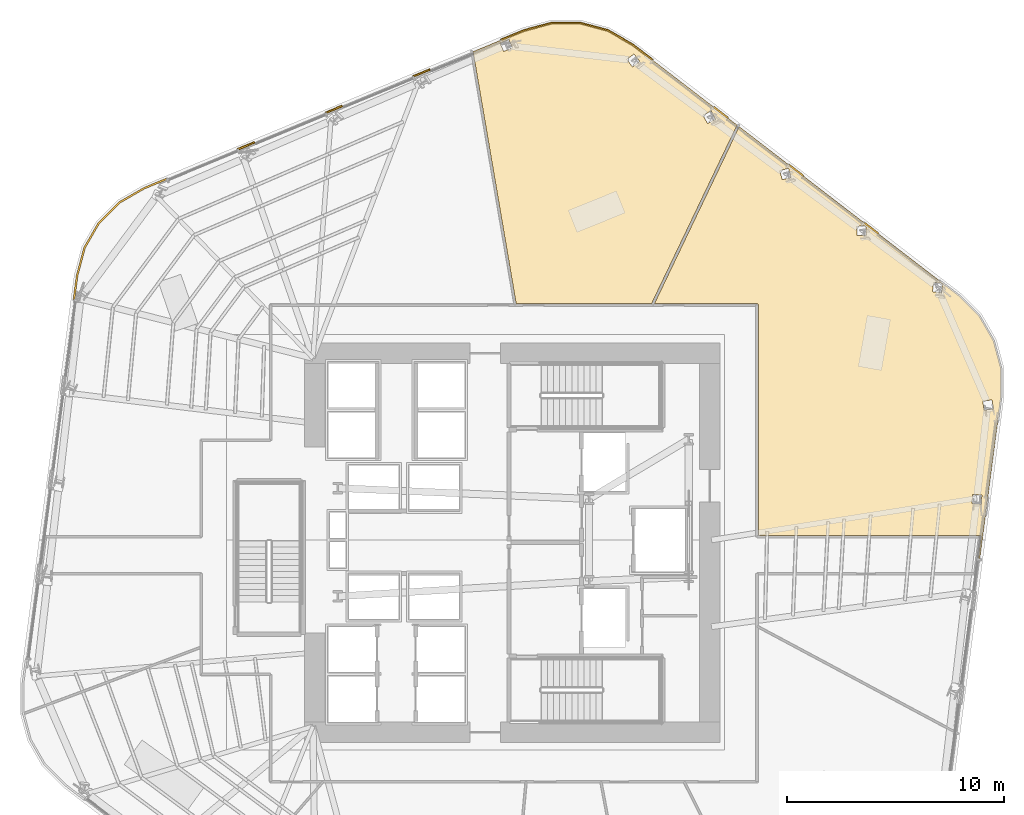
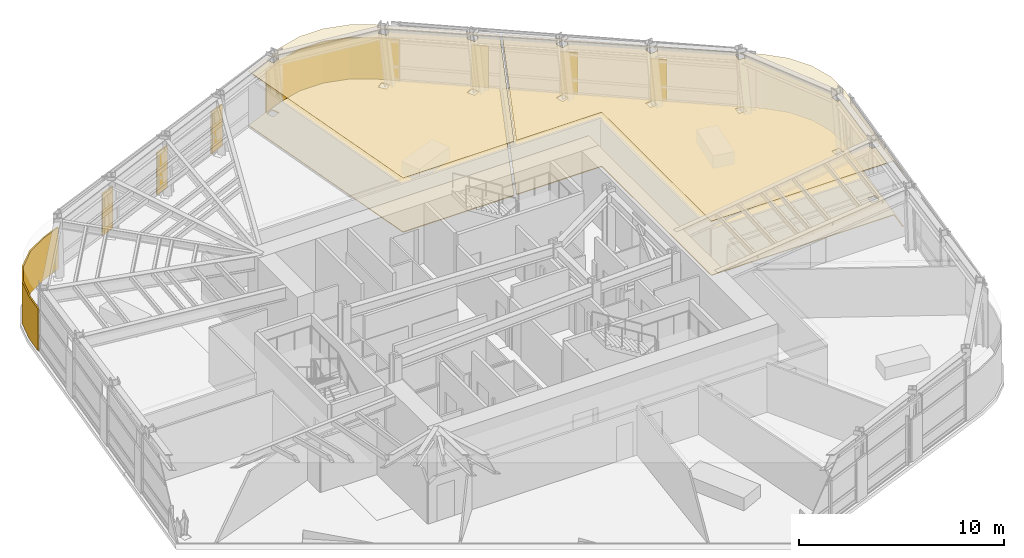
# One storey, part 17 of 18: 12 coverings.
"""IFC4 building model written with IfcOpenShell, lengths in metres."""

from ifc_helpers import new_model, si_unit, direction, frame, origin, place, context, subcontext, project, spatial, polyline, outline, extrude, material, layer, layer_set, type_object, element, save


model = new_model("IFC4")

# Units and contexts
model_context = context("Model", 3, precision=1e-05, world=origin(), true_north=direction((0.0, 1.0)))
body_context = subcontext(model_context, "Body", "Model", "MODEL_VIEW")
ifc_project = project(units=[si_unit("LENGTHUNIT", "METRE"), si_unit("AREAUNIT", "SQUARE_METRE"), si_unit("VOLUMEUNIT", "CUBIC_METRE"), si_unit("PLANEANGLEUNIT", "RADIAN"), si_unit("MASSUNIT", "GRAM", prefix="KILO")], contexts=[model_context])

# Site, building, storey
site_placement = place(None, origin())
site = spatial("IfcSite", under=ifc_project, at=site_placement, CompositionType="ELEMENT")
building_placement = place(site_placement, origin())
building = spatial("IfcBuilding", under=site, at=building_placement, Name="Valkerne Bourse Tower", CompositionType="ELEMENT")
storey_placement = place(building_placement, frame((0.0, 0.0, 120.0)))
storey = spatial("IfcBuildingStorey", under=building, at=storey_placement, Name="L30", CompositionType="ELEMENT", Elevation=120.0)

# Coverings
ifc_material_1 = material(Name="Mineral Fiber Acoustic Ceiling Tile", Category="acoustic")
ifc_layer_1 = layer(ifc_material_1, 0.02490234375)
ifc_layer_set_1 = layer_set([ifc_layer_1], Name="Mineral Fiber Acoustic Ceiling Tile")
covering_type_1 = type_object("IfcCoveringType", Name="COV-CEIL-ACT", PredefinedType="CEILING", material=ifc_layer_set_1)
covering_1_placement = place(storey_placement, frame((0.0, 0.0, 3.22998046875)))
element("IfcCovering", 1, at=covering_1_placement, inside=storey, type_object=covering_type_1, Name="L30 Suspended Ceiling 08", PredefinedType="CEILING", context=body_context, shape_type="SweptSolid", body=[
    extrude(outline(polyline([(49.942138671875, 50.86767578125), (51.216796875, 50.526123046875), (52.367919921875, 49.861572265625), (57.181396484375, 46.159912109375), (53.23583984375, 37.9189453125), (46.9814453125, 37.9189453125), (44.993408203125, 49.54931640625), (47.339111328125, 50.523681640625), (48.622802734375, 50.86767578125), (49.942138671875, 50.86767578125)]), holes=[polyline([(52.418701171875, 49.44140625), (52.41552734375, 49.442138671875), (52.08837890625, 49.18505859375), (52.35302734375, 48.844970703125), (52.356201171875, 48.843994140625), (52.68359375, 49.101318359375), (52.418701171875, 49.44140625)]), polyline([(46.802734375, 49.72705078125), (46.641357421875, 50.111083984375), (46.637939453125, 50.111083984375), (46.24169921875, 49.943115234375), (46.403076171875, 49.55908203125), (46.40625, 49.55908203125), (46.802734375, 49.72705078125)]), polyline([(56.18310546875, 46.4248046875), (55.98681640625, 46.80859375), (55.984130859375, 46.809814453125), (55.6142578125, 46.618896484375), (55.810302734375, 46.235107421875), (55.813232421875, 46.23388671875), (56.18310546875, 46.4248046875)])]), origin(), (0.0, 0.0, 1.0), 0.02490234375),
])
covering_2_placement = place(storey_placement, frame((0.0, 0.0, 3.22998046875)))
element("IfcCovering", 2, at=covering_2_placement, inside=storey, type_object=covering_type_1, Name="L30 Suspended Ceiling 10", PredefinedType="CEILING", context=body_context, shape_type="SweptSolid", body=[
    extrude(outline(polyline([(69.01953125, 36.20361328125), (69.361083984375, 34.928955078125), (69.361083984375, 33.599853515625), (68.388671875, 26.151611328125), (68.322021484375, 26.158447265625), (68.45068359375, 27.145751953125), (68.43408203125, 27.1953125), (68.39208984375, 27.21826171875), (58.1689453125, 27.218994140625), (58.1689453125, 37.850341796875), (58.16259765625, 37.879150390625), (58.135986328125, 37.908935546875), (58.1005859375, 37.9189453125), (53.36669921875, 37.9189453125), (57.277099609375, 46.08642578125), (67.419921875, 38.286376953125), (68.35986328125, 37.346435546875), (69.01953125, 36.20361328125)]), holes=[polyline([(68.48193359375, 29.07666015625), (68.481689453125, 29.079833984375), (68.050048828125, 29.1005859375), (68.029541015625, 28.685791015625), (68.02978515625, 28.682861328125), (68.46142578125, 28.661865234375), (68.48193359375, 29.07666015625)]), polyline([(68.955078125, 33.46826171875), (68.9541015625, 33.471435546875), (68.526123046875, 33.410888671875), (68.583984375, 32.999755859375), (68.584716796875, 32.99658203125), (69.0126953125, 33.05712890625), (68.955078125, 33.46826171875)]), polyline([(66.67138671875, 38.84521484375), (66.669677734375, 38.847900390625), (66.256591796875, 38.898681640625), (66.2021484375, 38.47119140625), (66.203857421875, 38.468505859375), (66.616943359375, 38.41748046875), (66.67138671875, 38.84521484375)]), polyline([(63.146484375, 41.076904296875), (63.119384765625, 41.507080078125), (63.1171875, 41.509521484375), (62.701904296875, 41.481689453125), (62.72900390625, 41.051513671875), (62.73095703125, 41.04931640625), (63.146484375, 41.076904296875)]), polyline([(59.55615234375, 44.163330078125), (59.5537109375, 44.165283203125), (59.152587890625, 44.0537109375), (59.2666015625, 43.6376953125), (59.26904296875, 43.635986328125), (59.670166015625, 43.74755859375), (59.55615234375, 44.163330078125)])]), origin(), (0.0, 0.0, 1.0), 0.02490234375),
])
ifc_material_2 = material(Name="Bronze Anodised Aluminium AA 6063-T6", Category="aluminium")
ifc_layer_2 = layer(ifc_material_2, 0.06005859375)
ifc_layer_set_2 = layer_set([ifc_layer_2], Name="Bronze Anodised Aluminium AA 6063-T6")
covering_type_2 = type_object("IfcCoveringType", Name="COV-CRN-ALUM", PredefinedType="CLADDING", material=ifc_layer_set_2)
covering_3_placement = place(storey_placement, origin())
element("IfcCovering", 3, at=covering_3_placement, inside=storey, type_object=covering_type_2, Name="L30 Wind-Shaped Corner Aluminium Cladding 13", PredefinedType="CLADDING", context=body_context, shape_type="SweptSolid", body=[
    extrude(outline(polyline([(26.672607421875, 39.222900390625), (27.018798828125, 40.51513671875), (27.684326171875, 41.66796875), (28.625732421875, 42.609130859375), (29.7841796875, 43.278076171875), (30.841796875, 43.71728515625), (30.872314453125, 43.6435546875), (29.81982421875, 43.206298828125), (28.6748046875, 42.545166015625), (27.748291015625, 41.618896484375), (27.09326171875, 40.484130859375), (26.751220703125, 39.207275390625), (26.601318359375, 38.077392578125), (26.52197265625, 38.087646484375), (26.672607421875, 39.222900390625)])), origin(), (0.0, 0.0, 1.0), 2.5),
])
covering_4_placement = place(storey_placement, origin())
element("IfcCovering", 4, at=covering_4_placement, inside=storey, type_object=covering_type_2, Name="L30 Wind-Shaped Corner Aluminium Cladding 14", PredefinedType="CLADDING", context=body_context, shape_type="SweptSolid", body=[
    extrude(outline(polyline([(34.889404296875, 45.39892578125), (34.919921875, 45.3251953125), (34.144287109375, 45.002685546875), (34.11376953125, 45.07666015625), (34.889404296875, 45.39892578125)])), origin(), (0.0, 0.0, 1.0), 2.5),
])
covering_5_placement = place(storey_placement, origin())
element("IfcCovering", 5, at=covering_5_placement, inside=storey, type_object=covering_type_2, Name="L30 Wind-Shaped Corner Aluminium Cladding 15", PredefinedType="CLADDING", context=body_context, shape_type="SweptSolid", body=[
    extrude(outline(polyline([(38.93701171875, 47.08056640625), (38.967529296875, 47.006591796875), (38.19189453125, 46.684326171875), (38.161376953125, 46.75830078125), (38.93701171875, 47.08056640625)])), origin(), (0.0, 0.0, 1.0), 2.5),
])
covering_6_placement = place(storey_placement, origin())
element("IfcCovering", 6, at=covering_6_placement, inside=storey, type_object=covering_type_2, Name="L30 Wind-Shaped Corner Aluminium Cladding 16", PredefinedType="CLADDING", context=body_context, shape_type="SweptSolid", body=[
    extrude(outline(polyline([(42.984375, 48.76220703125), (43.01513671875, 48.688232421875), (42.239501953125, 48.365966796875), (42.208740234375, 48.43994140625), (42.984375, 48.76220703125)])), origin(), (0.0, 0.0, 1.0), 2.5),
])
covering_7_placement = place(storey_placement, origin())
element("IfcCovering", 7, at=covering_7_placement, inside=storey, type_object=covering_type_2, Name="L30 Wind-Shaped Corner Aluminium Cladding 17", PredefinedType="CLADDING", context=body_context, shape_type="SweptSolid", body=[
    extrude(outline(polyline([(47.32470703125, 50.5654296875), (48.616943359375, 50.91162109375), (49.947998046875, 50.91162109375), (51.23388671875, 50.567138671875), (52.392333984375, 49.898193359375), (53.309326171875, 49.193115234375), (53.2607421875, 49.12939453125), (52.34765625, 49.831787109375), (51.202880859375, 50.49267578125), (49.9375, 50.831787109375), (48.62744140625, 50.831787109375), (47.3505859375, 50.489501953125), (46.287109375, 50.047607421875), (46.25634765625, 50.12158203125), (47.32470703125, 50.5654296875)])), origin(), (0.0, 0.0, 1.0), 2.5),
])
covering_8_placement = place(storey_placement, origin())
element("IfcCovering", 8, at=covering_8_placement, inside=storey, type_object=covering_type_2, Name="L30 Wind-Shaped Corner Aluminium Cladding 18", PredefinedType="CLADDING", context=body_context, shape_type="SweptSolid", body=[
    extrude(outline(polyline([(56.78369140625, 46.52099609375), (56.735107421875, 46.457763671875), (56.0693359375, 46.9697265625), (56.117919921875, 47.033203125), (56.78369140625, 46.52099609375)])), origin(), (0.0, 0.0, 1.0), 2.5),
])
covering_9_placement = place(storey_placement, origin())
element("IfcCovering", 9, at=covering_9_placement, inside=storey, type_object=covering_type_2, Name="L30 Wind-Shaped Corner Aluminium Cladding 19", PredefinedType="CLADDING", context=body_context, shape_type="SweptSolid", body=[
    extrude(outline(polyline([(60.25830078125, 43.84912109375), (60.209716796875, 43.785888671875), (59.543701171875, 44.2978515625), (59.59228515625, 44.361328125), (60.25830078125, 43.84912109375)])), origin(), (0.0, 0.0, 1.0), 2.5),
])
covering_10_placement = place(storey_placement, origin())
element("IfcCovering", 10, at=covering_10_placement, inside=storey, type_object=covering_type_2, Name="L30 Wind-Shaped Corner Aluminium Cladding 20", PredefinedType="CLADDING", context=body_context, shape_type="SweptSolid", body=[
    extrude(outline(polyline([(63.732666015625, 41.17724609375), (63.68408203125, 41.114013671875), (63.018310546875, 41.6259765625), (63.06689453125, 41.689453125), (63.732666015625, 41.17724609375)])), origin(), (0.0, 0.0, 1.0), 2.5),
])
ifc_material_3 = material(Name="Galvanised Painted Steel", Category="steel")
ifc_layer_3 = layer(ifc_material_3, 0.044921875)
ifc_layer_set_3 = layer_set([ifc_layer_3], Name="Galvanised Painted Steel")
covering_type_3 = type_object("IfcCoveringType", Name="COV-FLR-RAF", PredefinedType="FLOORING", material=ifc_layer_set_3)
covering_11_placement = place(storey_placement, origin())
element("IfcCovering", 11, at=covering_11_placement, inside=storey, type_object=covering_type_3, Name="L30 Floor Finish 08", PredefinedType="FLOORING", context=body_context, shape_type="SweptSolid", body=[
    extrude(outline(polyline([(49.942138671875, 50.86767578125), (51.216796875, 50.526123046875), (52.367919921875, 49.861572265625), (57.181396484375, 46.159912109375), (53.23583984375, 37.9189453125), (46.9814453125, 37.9189453125), (44.993408203125, 49.54931640625), (47.339111328125, 50.523681640625), (48.622802734375, 50.86767578125), (49.942138671875, 50.86767578125)]), holes=[polyline([(52.418701171875, 49.44140625), (52.41552734375, 49.442138671875), (52.08837890625, 49.18505859375), (52.35302734375, 48.844970703125), (52.356201171875, 48.843994140625), (52.68359375, 49.101318359375), (52.418701171875, 49.44140625)]), polyline([(46.802734375, 49.72705078125), (46.641357421875, 50.111083984375), (46.637939453125, 50.111083984375), (46.24169921875, 49.943115234375), (46.403076171875, 49.55908203125), (46.40625, 49.55908203125), (46.802734375, 49.72705078125)]), polyline([(56.18310546875, 46.4248046875), (55.98681640625, 46.80859375), (55.984130859375, 46.809814453125), (55.6142578125, 46.618896484375), (55.810302734375, 46.235107421875), (55.813232421875, 46.23388671875), (56.18310546875, 46.4248046875)])]), origin(), (0.0, 0.0, 1.0), 0.044921875),
])
covering_12_placement = place(storey_placement, origin())
element("IfcCovering", 12, at=covering_12_placement, inside=storey, type_object=covering_type_3, Name="L30 Floor Finish 10", PredefinedType="FLOORING", context=body_context, shape_type="SweptSolid", body=[
    extrude(outline(polyline([(69.01953125, 36.20361328125), (69.361083984375, 34.928955078125), (69.361083984375, 33.599853515625), (68.388671875, 26.151611328125), (68.322021484375, 26.158447265625), (68.45068359375, 27.145751953125), (68.43408203125, 27.1953125), (68.39208984375, 27.21826171875), (58.1689453125, 27.218994140625), (58.1689453125, 37.850341796875), (58.16259765625, 37.879150390625), (58.135986328125, 37.908935546875), (58.1005859375, 37.9189453125), (53.36669921875, 37.9189453125), (57.277099609375, 46.08642578125), (67.419921875, 38.286376953125), (68.35986328125, 37.346435546875), (69.01953125, 36.20361328125)]), holes=[polyline([(68.48193359375, 29.07666015625), (68.481689453125, 29.079833984375), (68.050048828125, 29.1005859375), (68.029541015625, 28.685791015625), (68.02978515625, 28.682861328125), (68.46142578125, 28.661865234375), (68.48193359375, 29.07666015625)]), polyline([(68.955078125, 33.46826171875), (68.9541015625, 33.471435546875), (68.526123046875, 33.410888671875), (68.583984375, 32.999755859375), (68.584716796875, 32.99658203125), (69.0126953125, 33.05712890625), (68.955078125, 33.46826171875)]), polyline([(66.67138671875, 38.84521484375), (66.669677734375, 38.847900390625), (66.256591796875, 38.898681640625), (66.2021484375, 38.47119140625), (66.203857421875, 38.468505859375), (66.616943359375, 38.41748046875), (66.67138671875, 38.84521484375)]), polyline([(63.146484375, 41.076904296875), (63.119384765625, 41.507080078125), (63.1171875, 41.509521484375), (62.701904296875, 41.481689453125), (62.72900390625, 41.051513671875), (62.73095703125, 41.04931640625), (63.146484375, 41.076904296875)]), polyline([(59.55615234375, 44.163330078125), (59.5537109375, 44.165283203125), (59.152587890625, 44.0537109375), (59.2666015625, 43.6376953125), (59.26904296875, 43.635986328125), (59.670166015625, 43.74755859375), (59.55615234375, 44.163330078125)])]), origin(), (0.0, 0.0, 1.0), 0.044921875),
])

save(model, "model.ifc")
